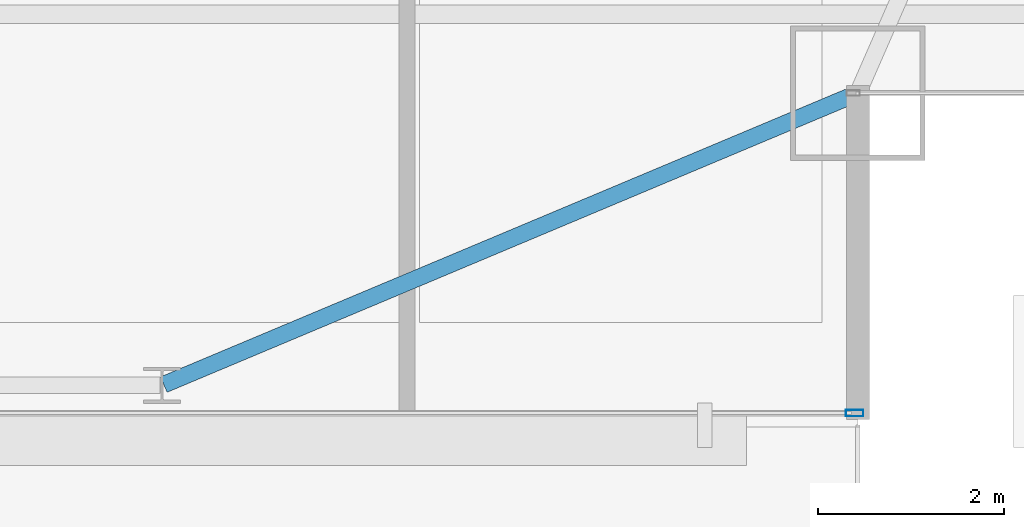
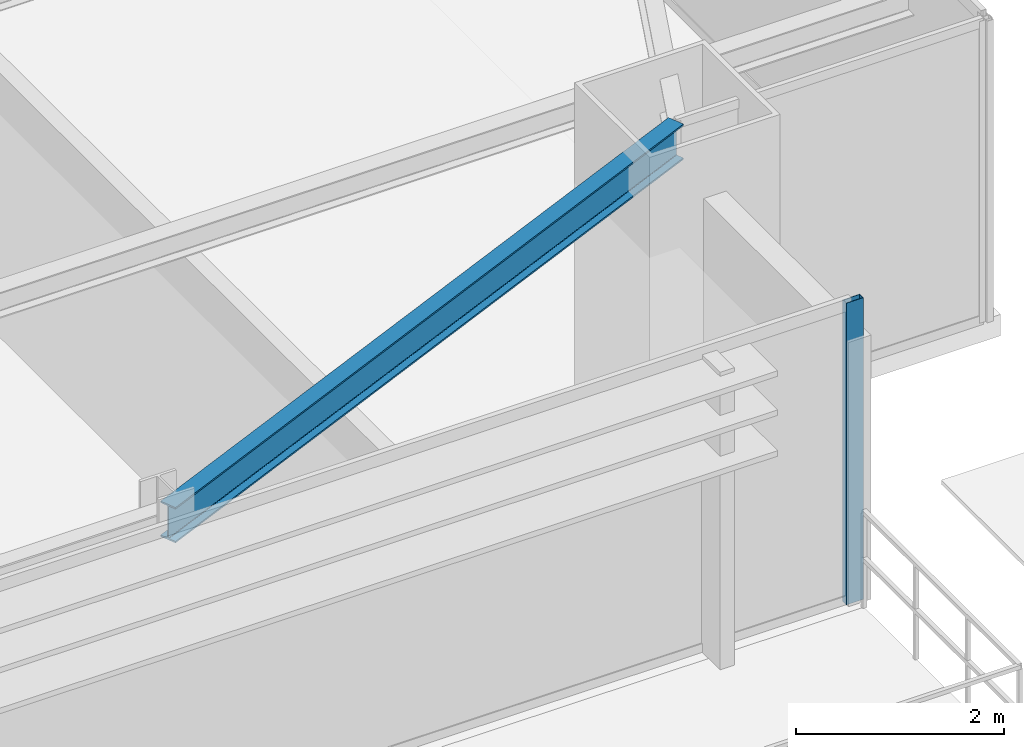
# One storey, part 14 of 35: 1 beam, 1 member, 1 element without a shape of its own.
"""IFC4 building model written with IfcOpenShell, lengths in metres."""

from ifc_helpers import new_model, si_unit, direction, frame, origin, origin_2d, place, context, subcontext, project, spatial, hollow_rectangle, i_section, extrude, source, transform, mapped, material, layer, layer_set, material_profile, profile_set, type_object, type_shapes, element, aggregate, save


model = new_model("IFC4")

# Units and contexts
model_context = context("Model", 3, precision=1e-05, world=origin(), true_north=direction((0.0, 1.0)))
body_context = subcontext(model_context, "Body", "Model", "MODEL_VIEW")
ifc_project = project(units=[si_unit("LENGTHUNIT", "METRE"), si_unit("AREAUNIT", "SQUARE_METRE"), si_unit("VOLUMEUNIT", "CUBIC_METRE"), si_unit("PLANEANGLEUNIT", "RADIAN"), si_unit("MASSUNIT", "GRAM", prefix="KILO")], contexts=[model_context])

# Site, building, storey
site_placement = place(None, origin())
site = spatial("IfcSite", under=ifc_project, at=site_placement, CompositionType="ELEMENT")
building_placement = place(site_placement, origin())
building = spatial("IfcBuilding", under=site, at=building_placement, Name="Varnel Quay Broadcast Tower", CompositionType="ELEMENT")
storey_placement = place(building_placement, frame((0.0, 0.0, 87.0)))
storey = spatial("IfcBuildingStorey", under=building, at=storey_placement, Name="L20", CompositionType="ELEMENT", Elevation=87.0)

# Beam
ifc_material_1 = material(Name="Structural Steel CSA G40.21 350W", Category="steel")
ifc_material_profile_1 = material_profile(ifc_material_1, i_section(OverallWidth=0.180908203125, OverallDepth=0.4169921875, WebThickness=0.010986328125, FlangeThickness=0.018310546875, FilletRadius=0.011962890625, at=origin_2d()), Name="W410X85")
ifc_profile_set_1 = profile_set([ifc_material_profile_1], Name="Structural Steel CSA G40.21 350W")
beam_type = type_object("IfcBeamType", Name="Beam_W410X85", PredefinedType="SPANDREL", material=ifc_profile_set_1)
shared_shape_1 = source(origin(), body_context, "Body", "SweptSolid", [
    extrude(i_section(OverallWidth=0.180908203125, OverallDepth=0.4169921875, WebThickness=0.010986328125, FlangeThickness=0.018310546875, FilletRadius=0.011962890625, at=origin_2d()), origin(), (0.0, 0.0, 1.0), 8.0947265625),
])
type_shapes(beam_type, [shared_shape_1])
beam_placement = place(storey_placement, frame((52.41845703125, 4.65771484375, 3.341552734375), z_axis=(0.921981890247, 0.387232997117, 0.0), x_axis=(-0.387232997117, 0.921981890247, 0.0)))
element("IfcBeam", 1, at=beam_placement, inside=storey, type_object=beam_type, Name="L20 South Spandrel TC-S5-MC-SE", PredefinedType="SPANDREL", context=body_context, shape_type="MappedRepresentation", body=[
    mapped(shared_shape_1, transform((0.0, 0.0, 0.0), x_axis=(1.0, 0.0, 0.0), y_axis=(0.0, 1.0, 0.0), z_axis=(0.0, 0.0, 1.0), scale=1.0)),
])

# Curtain wall, member
ifc_material_2 = material(Name="Anodised Bronze Aluminium 6063-T6", Category="aluminium")
ifc_layer = layer(ifc_material_2, 0.18994140625, Name="Anodised Bronze Aluminium 6063-T6")
ifc_layer_set = layer_set([ifc_layer], Name="Anodised Bronze Aluminium 6063-T6")
curtain_wall_type = type_object("IfcCurtainWallType", Name="CW_LowerTower", PredefinedType="NOTDEFINED", material=ifc_layer_set)
curtain_wall_placement = place(storey_placement, origin())
curtain_wall = element("IfcCurtainWall", 2, at=curtain_wall_placement, inside=storey, type_object=curtain_wall_type, Name="L20 South Unitised Curtain Wall 2", PredefinedType="NOTDEFINED")
ifc_material_profile_2 = material_profile(ifc_material_2, hollow_rectangle(XDim=0.070068359375, YDim=0.18994140625, WallThickness=0.00390625, at=origin_2d()), Name="ALU70X190X4")
ifc_profile_set_2 = profile_set([ifc_material_profile_2], Name="Anodised Bronze Aluminium 6063-T6")
member_type = type_object("IfcMemberType", Name="Mull_CWS-02", PredefinedType="MULLION", material=ifc_profile_set_2)
shared_shape_2 = source(origin(), body_context, "Body", "SweptSolid", [
    extrude(hollow_rectangle(XDim=0.070068359375, YDim=0.18994140625, WallThickness=0.00390625, at=origin_2d()), origin(), (0.0, 0.0, 1.0), 3.550048828125),
])
type_shapes(member_type, [shared_shape_2])
member_placement = place(storey_placement, frame((59.864990234375, 4.35009765625, 0.0), z_axis=(0.0, 0.0, 1.0), x_axis=(0.0, 1.0, 0.0)))
member = element("IfcMember", 3, at=member_placement, type_object=member_type, Name="CWS-02 mullion 4", PredefinedType="MULLION", context=body_context, shape_type="MappedRepresentation", body=[
    mapped(shared_shape_2, transform((0.0, 0.0, 0.0), x_axis=(1.0, 0.0, 0.0), y_axis=(0.0, 1.0, 0.0), z_axis=(0.0, 0.0, 1.0), scale=1.0)),
])
aggregate(curtain_wall, [member])

save(model, "model.ifc")
